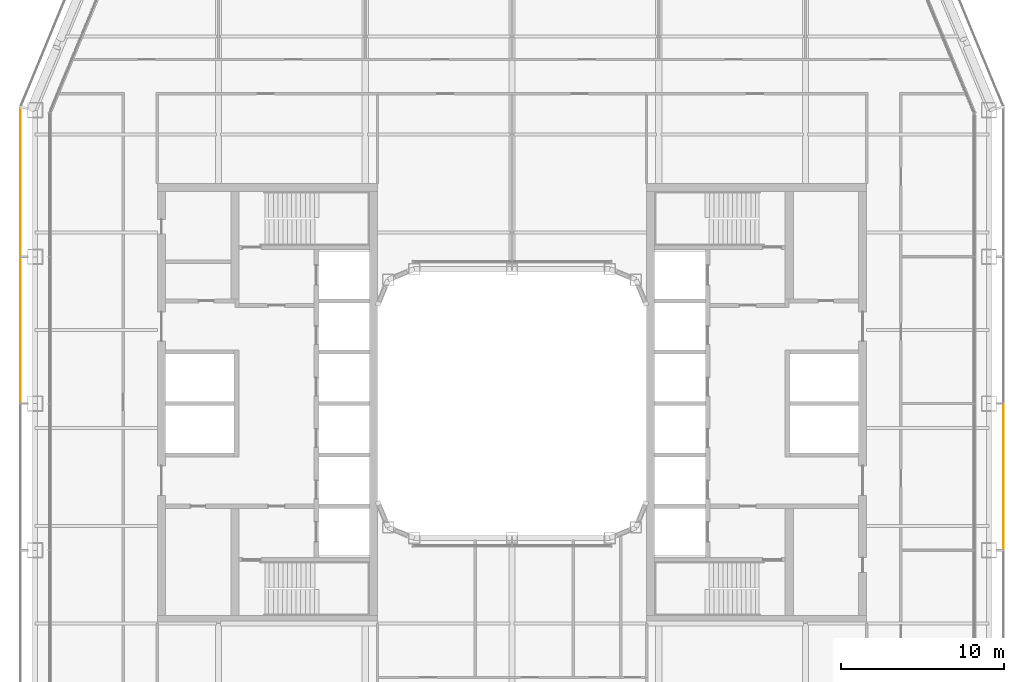
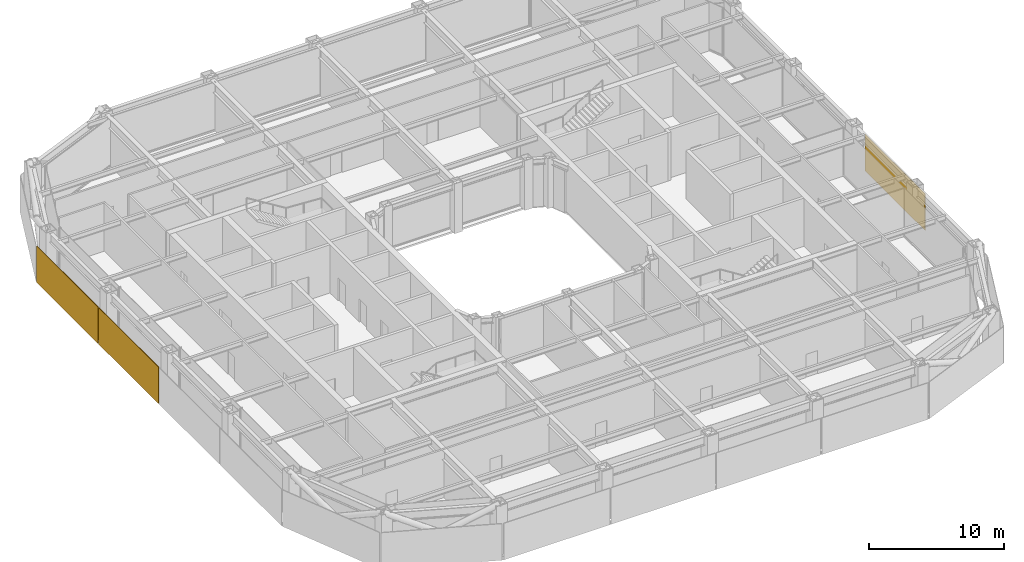
# One storey, part 19 of 21: 3 coverings.
"""IFC4 building model written with IfcOpenShell, lengths in metres."""

from ifc_helpers import new_model, si_unit, direction, frame, origin, origin_2d, place, context, subcontext, project, spatial, rectangle, extrude, material, layer, layer_set, type_object, element, save


model = new_model("IFC4")

# Units and contexts
model_context = context("Model", 3, precision=1e-05, world=origin(), true_north=direction((0.0, 1.0)))
body_context = subcontext(model_context, "Body", "Model", "MODEL_VIEW")
ifc_project = project(units=[si_unit("LENGTHUNIT", "METRE"), si_unit("AREAUNIT", "SQUARE_METRE"), si_unit("VOLUMEUNIT", "CUBIC_METRE"), si_unit("PLANEANGLEUNIT", "RADIAN"), si_unit("MASSUNIT", "GRAM", prefix="KILO")], contexts=[model_context])

# Site, building, storey
site_placement = place(None, origin())
site = spatial("IfcSite", under=ifc_project, at=site_placement, CompositionType="ELEMENT")
building_placement = place(site_placement, origin())
building = spatial("IfcBuilding", under=site, at=building_placement, Name="Siwar Civic Tower", CompositionType="ELEMENT")
storey_placement = place(building_placement, frame((0.0, 0.0, 140.699951171875)))
storey = spatial("IfcBuildingStorey", under=building, at=storey_placement, Name="L30", CompositionType="ELEMENT", Elevation=140.699951171875)

# Coverings
ifc_material_1 = material(Name="Perforated aluminium cassette, pale metal", Category="aluminium")
ifc_layer_1 = layer(ifc_material_1, 0.0400390625)
ifc_layer_set_1 = layer_set([ifc_layer_1], Name="Perforated aluminium cassette, pale metal")
covering_type_1 = type_object("IfcCoveringType", Name="ENV-OUTER SKIN OS-1", PredefinedType="CLADDING", material=ifc_layer_set_1)
covering_1_placement = place(storey_placement, frame((30.14990234375, -4.5, -0.14990234375), z_axis=(0.0, 0.0, 1.0), x_axis=(0.0, 1.0, 0.0)))
element("IfcCovering", 1, at=covering_1_placement, inside=storey, type_object=covering_type_1, Name="OUTER SKIN OS-1 E 2", PredefinedType="CLADDING", context=body_context, shape_type="SweptSolid", body=[
    extrude(rectangle(XDim=8.89990234375, YDim=0.0400390625, at=origin_2d()), origin(), (0.0, 0.0, 1.0), 3.300048828125),
])
ifc_material_2 = material(Name="Perforated aluminium cassette, pale metal", Category="aluminium")
ifc_layer_2 = layer(ifc_material_2, 0.050048828125)
ifc_layer_set_2 = layer_set([ifc_layer_2], Name="Perforated aluminium cassette, pale metal")
covering_type_2 = type_object("IfcCoveringType", Name="ENV-OUTER SKIN OS-3", PredefinedType="CLADDING", material=ifc_layer_set_2)
covering_2_placement = place(storey_placement, frame((-30.14990234375, 13.57958984375, -0.14990234375), z_axis=(0.0, 0.0, 1.0), x_axis=(0.0, -1.0, 0.0)))
element("IfcCovering", 2, at=covering_2_placement, inside=storey, type_object=covering_type_2, Name="OUTER SKIN OS-3 W 1", PredefinedType="CLADDING", context=body_context, shape_type="SweptSolid", body=[
    extrude(rectangle(XDim=9.05908203125, YDim=0.050048828125, at=origin_2d()), origin(), (0.0, 0.0, 1.0), 3.300048828125),
])
covering_3_placement = place(storey_placement, frame((-30.14990234375, 4.5, -0.14990234375), z_axis=(0.0, 0.0, 1.0), x_axis=(0.0, -1.0, 0.0)))
element("IfcCovering", 3, at=covering_3_placement, inside=storey, type_object=covering_type_2, Name="OUTER SKIN OS-3 W 2", PredefinedType="CLADDING", context=body_context, shape_type="SweptSolid", body=[
    extrude(rectangle(XDim=8.89990234375, YDim=0.050048828125, at=origin_2d()), origin(), (0.0, 0.0, 1.0), 3.300048828125),
])

save(model, "model.ifc")
